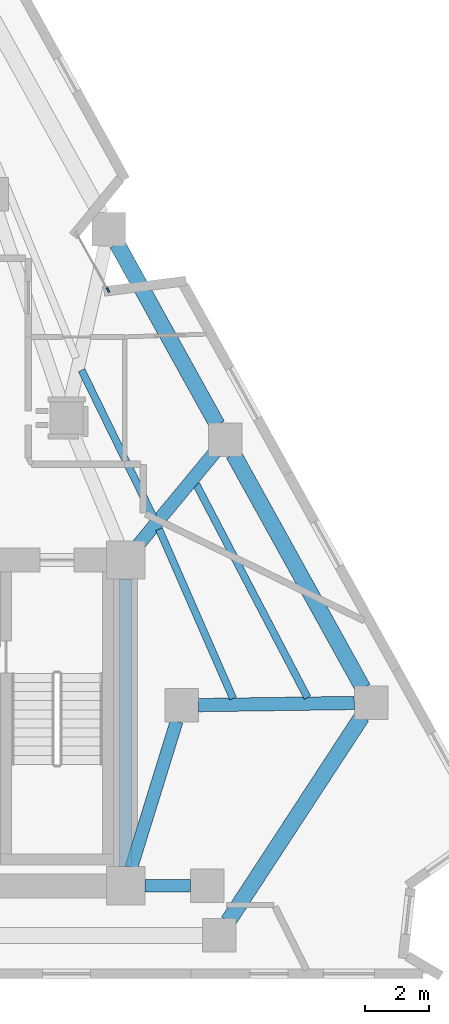
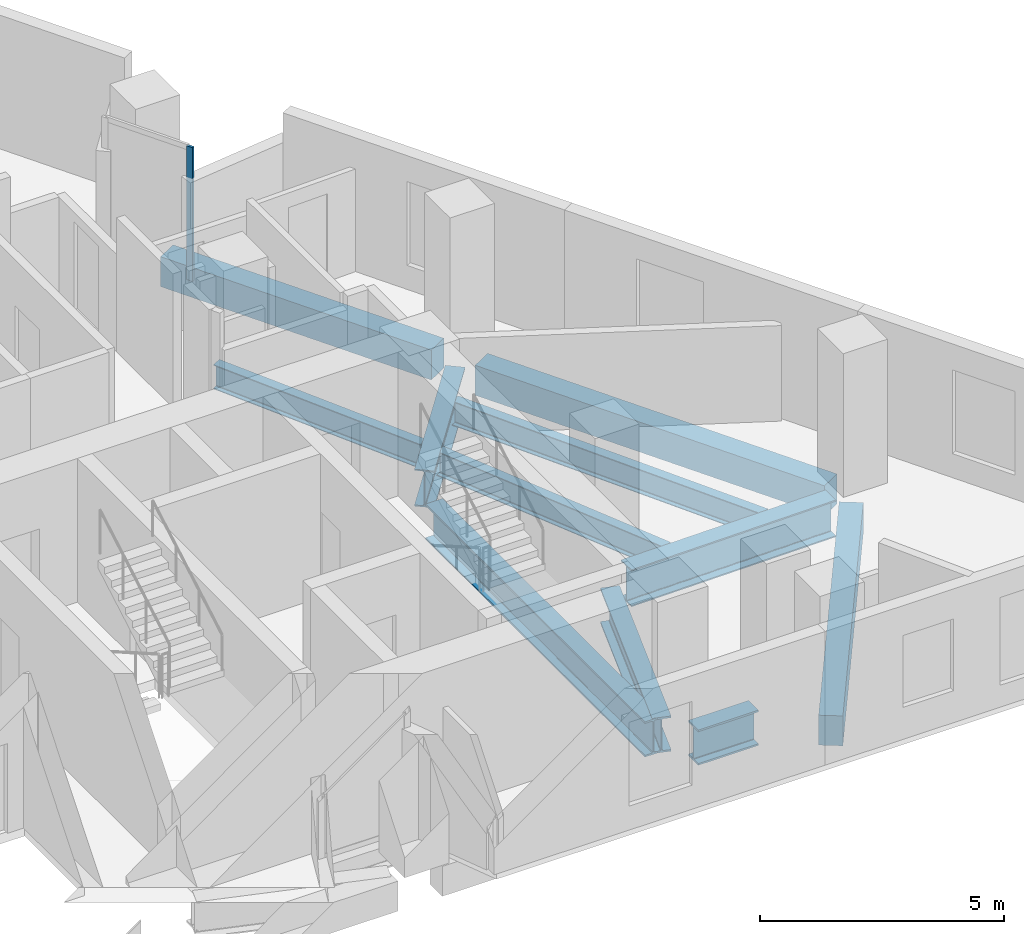
# One storey, part 4 of 11: 11 beams, 1 member, 1 element without a shape of its own.
"""IFC4 building model written with IfcOpenShell, lengths in metres."""

import ifcopenshell
import ifcopenshell.guid

model = None  # the IFC model being written
_history = None  # IfcOwnerHistory: only IFC2X3 demands one
_inside = {}  # id of a spatial element -> (the spatial element, [elements in it])
_under = {}  # id of a project, library or spatial element -> (it, [spatial elements below it])
_declared = {}  # id of a project -> (the project, [libraries it declares])
_typed = {}  # id of a type object -> (the type object, [elements of that type])
_made_of = {}  # id of a material, layer set ... -> (it, [elements and type objects made of it])


def new_model(schema):
    """Start an empty IFC model of exactly this schema.

    Asked for "IFC4X3", IfcOpenShell would pick the latest addendum, in which some entities
    have other attributes; the version numbers below select the first issue.
    IFC2X3 requires an IfcOwnerHistory on every rooted entity: one is made here for all.
    """
    global model, _history
    if schema == "IFC4X3":
        model = ifcopenshell.file(schema_version=(4, 3, 0, 0))
    else:
        model = ifcopenshell.file(schema=schema)
    _inside.clear()
    _under.clear()
    _declared.clear()
    _typed.clear()
    _made_of.clear()
    _history = None
    if model.schema == "IFC2X3":
        org = make("IfcOrganization", Name="unknown")
        user = make(
            "IfcPersonAndOrganization",
            ThePerson=make("IfcPerson", FamilyName="unknown"),
            TheOrganization=org,
        )
        app = make(
            "IfcApplication",
            ApplicationDeveloper=org,
            Version="unknown",
            ApplicationFullName="unknown",
            ApplicationIdentifier="unknown",
        )
        _history = make(
            "IfcOwnerHistory",
            OwningUser=user,
            OwningApplication=app,
            ChangeAction="ADDED",
            CreationDate=0,
        )
    return model


def make(cls, **values):
    """One entity of the class cls with the attributes given. An attribute that is None is left unset."""
    return model.create_entity(
        cls, **{name: value for name, value in values.items() if value is not None}
    )


def rooted(cls, **values):
    """An entity with a GlobalId (a new one), such as an element, a storey or a relation."""
    return make(cls, GlobalId=ifcopenshell.guid.new(), OwnerHistory=_history, **values)


def si_unit(unit_type, name, prefix=None):
    """IfcSIUnit, for example si_unit("LENGTHUNIT", "METRE", prefix="MILLI")."""
    return make("IfcSIUnit", UnitType=unit_type, Prefix=prefix, Name=name)


def assignment(units):
    """IfcUnitAssignment: the units of a project."""
    return None if units is None else make("IfcUnitAssignment", Units=units)


def point(xyz):
    """IfcCartesianPoint."""
    return None if xyz is None else make("IfcCartesianPoint", Coordinates=xyz)


def direction(xyz):
    """IfcDirection."""
    return None if xyz is None else make("IfcDirection", DirectionRatios=xyz)


def frame(location, z_axis=None, x_axis=None):
    """IfcAxis2Placement3D, a coordinate frame: its origin and axes. An axis left out is left unset."""
    return make(
        "IfcAxis2Placement3D",
        Location=point(location),
        Axis=direction(z_axis),
        RefDirection=direction(x_axis),
    )


def frame_2d(location, x_axis=None):
    """IfcAxis2Placement2D, a coordinate frame in the plane: its origin and x axis."""
    return make(
        "IfcAxis2Placement2D", Location=point(location), RefDirection=direction(x_axis)
    )


def origin():
    """The frame at (0, 0, 0) with its axes left unset."""
    return frame((0.0, 0.0, 0.0))


def origin_2d():
    """The frame at (0, 0) in the plane with its x axis left unset."""
    return frame_2d((0.0, 0.0))


def place(relative_to, where):
    """IfcLocalPlacement: puts the frame where relative to a parent placement (None: the world)."""
    return make(
        "IfcLocalPlacement", PlacementRelTo=relative_to, RelativePlacement=where
    )


def context(
    kind, dimensions, precision=None, world=None, true_north=None, identifier=None
):
    """IfcGeometricRepresentationContext, for example the 3D "Model" context."""
    return make(
        "IfcGeometricRepresentationContext",
        ContextIdentifier=identifier,
        ContextType=kind,
        CoordinateSpaceDimension=dimensions,
        Precision=precision,
        WorldCoordinateSystem=world,
        TrueNorth=true_north,
    )


def subcontext(parent, identifier, kind, view, scale=None):
    """IfcGeometricRepresentationSubContext, for example "Body" below "Model"."""
    return make(
        "IfcGeometricRepresentationSubContext",
        ContextIdentifier=identifier,
        ContextType=kind,
        ParentContext=parent,
        TargetScale=scale,
        TargetView=view,
    )


def project(units=None, contexts=None):
    """IfcProject with its units and contexts."""
    return rooted(
        "IfcProject",
        Name="project",
        RepresentationContexts=contexts,
        UnitsInContext=assignment(units),
    )


def spatial(cls, under=None, at=None, **own):
    """A site, building, storey or space (cls), placed at a placement, below another one or the project."""
    s = rooted(cls, ObjectPlacement=at, **own)
    if under is not None:
        _under.setdefault(under.id(), (under, []))[1].append(s)
    return s


def profile(cls, at=None, kind="AREA", **sizes):
    """A parametric profile (cls). Its sizes go by their IFC names, for example OverallWidth=200.0."""
    return make(cls, ProfileType=kind, Position=at, **sizes)


def rectangle(**sizes):
    """IfcRectangleProfileDef."""
    return profile("IfcRectangleProfileDef", **sizes)


def i_section(**sizes):
    """IfcIShapeProfileDef."""
    return profile("IfcIShapeProfileDef", **sizes)


def extrude(swept, where, along, depth):
    """IfcExtrudedAreaSolid: the profile swept, set in the frame where, extruded along a direction by depth."""
    return make(
        "IfcExtrudedAreaSolid",
        SweptArea=swept,
        Position=where,
        ExtrudedDirection=direction(along),
        Depth=depth,
    )


def shape(context_of_items, identifier, shape_type, items):
    """IfcShapeRepresentation: the items that make up one representation, for example the "Body"."""
    return make(
        "IfcShapeRepresentation",
        ContextOfItems=context_of_items,
        RepresentationIdentifier=identifier,
        RepresentationType=shape_type,
        Items=items,
    )


def material(Name=None, Category=None):
    """IfcMaterial."""
    return make("IfcMaterial", Name=Name, Category=Category)


def layer(
    of_material, thickness, ventilated=None, Name=None, Category=None, Priority=None
):
    """IfcMaterialLayer: one layer of a wall or slab, of a material (None: an air gap)."""
    return make(
        "IfcMaterialLayer",
        Material=of_material,
        LayerThickness=thickness,
        IsVentilated=ventilated,
        Name=Name,
        Category=Category,
        Priority=Priority,
    )


def layer_set(layers, Name=None):
    """IfcMaterialLayerSet."""
    return make("IfcMaterialLayerSet", MaterialLayers=layers, LayerSetName=Name)


def material_profile(
    of_material, cross_section, Name=None, Category=None, Priority=None
):
    """IfcMaterialProfile: a cross section and its material."""
    return make(
        "IfcMaterialProfile",
        Name=Name,
        Material=of_material,
        Profile=cross_section,
        Priority=Priority,
        Category=Category,
    )


def profile_set(profiles, Name=None, composite=None):
    """IfcMaterialProfileSet."""
    return make(
        "IfcMaterialProfileSet",
        Name=Name,
        MaterialProfiles=profiles,
        CompositeProfile=composite,
    )


def made_of(thing, what):
    """Note that an element or type object is made of a material, layer set ...; save() writes the relation."""
    if what is not None:
        _made_of.setdefault(what.id(), (what, []))[1].append(thing)
    return thing


def type_object(cls, material=None, **own):
    """A type object (cls), such as IfcWallType, which elements share."""
    return made_of(rooted(cls, **own), material)


def element(
    cls,
    number,
    at=None,
    inside=None,
    cuts=None,
    type_object=None,
    material=None,
    context=None,
    identifier="Body",
    shape_type=None,
    held_by="IfcProductDefinitionShape",
    body=None,
    shapes=None,
    **own,
):
    """One element of the class cls, such as IfcWall. Its Tag is "e" and its number.

    at: its placement. inside: the storey or other place that contains it. cuts: it is an
    opening in that element (IfcRelVoidsElement). A single representation is given by context,
    identifier, shape_type and body (its items); several are given by shapes. held_by: the class
    of the entity that holds the representations. save() writes the other relations.
    """
    e = rooted(cls, Tag="e%d" % number, ObjectPlacement=at, **own)
    if body is not None:
        shapes = [shape(context, identifier, shape_type, body)]
    if shapes is not None:
        e.Representation = make(held_by, Representations=shapes)
    if inside is not None:
        _inside.setdefault(inside.id(), (inside, []))[1].append(e)
    if cuts is not None:
        rooted(
            "IfcRelVoidsElement", RelatingBuildingElement=cuts, RelatedOpeningElement=e
        )
    if type_object is not None:
        _typed.setdefault(type_object.id(), (type_object, []))[1].append(e)
    return made_of(e, material)


def aggregate(whole, parts):
    """IfcRelAggregates: a whole, such as a stair, and the parts it consists of."""
    return rooted("IfcRelAggregates", RelatingObject=whole, RelatedObjects=parts)


def save(model, path):
    """Write the relations noted so far, then the file.

    IfcRelAggregates (storeys below a building ...), IfcRelContainedInSpatialStructure (elements
    in a storey), IfcRelDefinesByType, IfcRelAssociatesMaterial and IfcRelDeclares: one each for
    every whole, place, type object, material and project.
    """
    for whole, parts in _under.values():
        aggregate(whole, parts)
    for where, things in _inside.values():
        rooted(
            "IfcRelContainedInSpatialStructure",
            RelatedElements=things,
            RelatingStructure=where,
        )
    for kind, things in _typed.values():
        rooted("IfcRelDefinesByType", RelatedObjects=things, RelatingType=kind)
    for what, things in _made_of.values():
        rooted("IfcRelAssociatesMaterial", RelatedObjects=things, RelatingMaterial=what)
    for by, libraries in _declared.values():
        rooted("IfcRelDeclares", RelatingContext=by, RelatedDefinitions=libraries)
    model.write(path)


model = new_model("IFC4")

# Units and contexts
model_context = context("Model", 3, precision=1e-05, world=origin(), true_north=direction((0.0, 1.0)))
body_context = subcontext(model_context, "Body", "Model", "MODEL_VIEW")
ifc_project = project(units=[si_unit("LENGTHUNIT", "METRE"), si_unit("AREAUNIT", "SQUARE_METRE"), si_unit("VOLUMEUNIT", "CUBIC_METRE"), si_unit("PLANEANGLEUNIT", "RADIAN"), si_unit("MASSUNIT", "GRAM", prefix="KILO")], contexts=[model_context])

# Site, building, storey
site_placement = place(None, origin())
site = spatial("IfcSite", under=ifc_project, at=site_placement, CompositionType="ELEMENT")
building_placement = place(site_placement, origin())
building = spatial("IfcBuilding", under=site, at=building_placement, Name="Almagre Mirador Tower", CompositionType="ELEMENT")
storey_placement = place(building_placement, frame((0.0, 0.0, 168.0)))
storey = spatial("IfcBuildingStorey", under=building, at=storey_placement, Name="L43", CompositionType="ELEMENT", Elevation=168.0)

# Beams
ifc_material_1 = material(Name="Steel ASTM A992 Grade 50", Category="steel")
ifc_material_profile_1 = material_profile(ifc_material_1, i_section(OverallWidth=0.22802734375, OverallDepth=0.60791015625, WebThickness=0.01123046875, FlangeThickness=0.017333984375, FilletRadius=0.02001953125, at=origin_2d()), Name="W24X76")
ifc_profile_set_1 = profile_set([ifc_material_profile_1], Name="Steel ASTM A992 Grade 50")
beam_type_1 = type_object("IfcBeamType", Name="BM-JST-W24X76", PredefinedType="JOIST", material=ifc_profile_set_1)
beam_1_placement = place(storey_placement, frame((52.744873046875, 10.44189453125, -0.553955078125), z_axis=(-0.462461864281, 0.886639173557, 0.0), x_axis=(-0.886639173557, -0.462461864281, 0.0)))
element("IfcBeam", 1, at=beam_1_placement, inside=storey, type_object=beam_type_1, Name="L43 secondary floor joist PC05-PC06.1", PredefinedType="JOIST", context=body_context, shape_type="SweptSolid", body=[
    extrude(i_section(OverallWidth=0.22802734375, OverallDepth=0.60791015625, WebThickness=0.01123046875, FlangeThickness=0.017333984375, FilletRadius=0.02001953125, at=origin_2d()), origin(), (0.0, 0.0, 1.0), 7.53125),
])
beam_2_placement = place(storey_placement, frame((50.413330078125, 10.415283203125, -0.553955078125), z_axis=(-0.400714832281, 0.91620282863, 0.0), x_axis=(-0.91620282863, -0.400714832281, 0.0)))
element("IfcBeam", 2, at=beam_2_placement, inside=storey, type_object=beam_type_1, Name="L43 secondary floor joist PC05-PC06.3", PredefinedType="JOIST", context=body_context, shape_type="SweptSolid", body=[
    extrude(i_section(OverallWidth=0.22802734375, OverallDepth=0.60791015625, WebThickness=0.01123046875, FlangeThickness=0.017333984375, FilletRadius=0.02001953125, at=origin_2d()), origin(), (0.0, 0.0, 1.0), 5.7880859375),
])
beam_3_placement = place(storey_placement, frame((47.91845703125, 16.097412109375, -0.553955078125), z_axis=(-0.439128899416, 0.898424070079, 0.0), x_axis=(-0.898424070079, -0.439128899416, 0.0)))
element("IfcBeam", 3, at=beam_3_placement, inside=storey, type_object=beam_type_1, Name="L43 secondary floor joist PC06-PC07.3", PredefinedType="JOIST", context=body_context, shape_type="SweptSolid", body=[
    extrude(i_section(OverallWidth=0.22802734375, OverallDepth=0.60791015625, WebThickness=0.01123046875, FlangeThickness=0.017333984375, FilletRadius=0.02001953125, at=origin_2d()), origin(), (0.0, 0.0, 1.0), 5.12109375),
])
ifc_material_2 = material(Name="Precast concrete C50/60", Category="concrete")
ifc_material_profile_2 = material_profile(ifc_material_2, rectangle(XDim=0.5, YDim=0.75, at=origin_2d()), Name="RC500X750")
ifc_profile_set_2 = profile_set([ifc_material_profile_2], Name="Precast concrete C50/60")
beam_type_2 = type_object("IfcBeamType", Name="BM-SPN-RC500X750", PredefinedType="SPANDREL", material=ifc_profile_set_2)
beam_4_placement = place(storey_placement, frame((50.26318359375, 3.439453125, -0.625), z_axis=(0.546935461459, 0.83717477327, 0.0), x_axis=(-0.83717477327, 0.546935461459, 0.0)))
element("IfcBeam", 4, at=beam_4_placement, inside=storey, type_object=beam_type_2, Name="L43 perimeter spandrel beam PC04-PC05", PredefinedType="SPANDREL", context=body_context, shape_type="SweptSolid", body=[
    extrude(rectangle(XDim=0.5, YDim=0.75, at=origin_2d()), origin(), (0.0, 0.0, 1.0), 7.649658203125),
])
beam_5_placement = place(storey_placement, frame((54.479736328125, 10.742431640625, -0.625), z_axis=(-0.484193045523, 0.874961196092, 0.0), x_axis=(-0.874961196092, -0.484193045523, 0.0)))
element("IfcBeam", 5, at=beam_5_placement, inside=storey, type_object=beam_type_2, Name="L43 perimeter spandrel beam PC05-PC06", PredefinedType="SPANDREL", context=body_context, shape_type="SweptSolid", body=[
    extrude(rectangle(XDim=0.5, YDim=0.75, at=origin_2d()), origin(), (0.0, 0.0, 1.0), 8.36767578125),
])
beam_6_placement = place(storey_placement, frame((49.919921875, 18.982421875, -0.625), z_axis=(-0.484219637984, 0.874946479615, 0.0), x_axis=(-0.874946479615, -0.484219637984, 0.0)))
element("IfcBeam", 6, at=beam_6_placement, inside=storey, type_object=beam_type_2, Name="L43 perimeter spandrel beam PC06-PC07", PredefinedType="SPANDREL", context=body_context, shape_type="SweptSolid", body=[
    extrude(rectangle(XDim=0.5, YDim=0.75, at=origin_2d()), origin(), (0.0, 0.0, 1.0), 6.48388671875),
])
ifc_material_3 = material(Name="Steel ASTM A992 Grade 50", Category="steel")
ifc_material_profile_3 = material_profile(ifc_material_3, i_section(OverallWidth=0.404052734375, OverallDepth=0.884033203125, WebThickness=0.0244140625, FlangeThickness=0.0439453125, FilletRadius=0.02490234375, at=origin_2d()), Name="W33X291")
ifc_profile_set_3 = profile_set([ifc_material_profile_3], Name="Steel ASTM A992 Grade 50")
beam_type_3 = type_object("IfcBeamType", Name="BM-STL-W33X291", PredefinedType="BEAM", material=ifc_profile_set_3)
beam_7_placement = place(storey_placement, frame((47.050048828125, 5.14990234375, -0.69189453125), z_axis=(0.0, 1.0, 0.0), x_axis=(-1.0, 0.0, 0.0)))
element("IfcBeam", 7, at=beam_7_placement, inside=storey, type_object=beam_type_3, Name="L43 core tie girder CC3-CC6", PredefinedType="BEAM", context=body_context, shape_type="SweptSolid", body=[
    extrude(i_section(OverallWidth=0.404052734375, OverallDepth=0.884033203125, WebThickness=0.0244140625, FlangeThickness=0.0439453125, FilletRadius=0.02490234375, at=origin_2d()), origin(), (0.0, 0.0, 1.0), 9.0),
])
beam_8_placement = place(storey_placement, frame((49.074951171875, 4.550048828125, -0.69189453125), z_axis=(-1.0, 0.0, 0.0), x_axis=(0.0, -1.0, 0.0)))
element("IfcBeam", 8, at=beam_8_placement, inside=storey, type_object=beam_type_3, Name="L43 core tie girder MC2-CC3", PredefinedType="BEAM", context=body_context, shape_type="SweptSolid", body=[
    extrude(i_section(OverallWidth=0.404052734375, OverallDepth=0.884033203125, WebThickness=0.0244140625, FlangeThickness=0.0439453125, FilletRadius=0.02490234375, at=origin_2d()), origin(), (0.0, 0.0, 1.0), 1.425048828125),
])
beam_9_placement = place(storey_placement, frame((48.644775390625, 9.698486328125, -0.69189453125), z_axis=(-0.295879743348, -0.955225197258, 0.0), x_axis=(0.955225197258, -0.295879743348, 0.0)))
element("IfcBeam", 9, at=beam_9_placement, inside=storey, type_object=beam_type_3, Name="L43 core tie girder MC3-CC3", PredefinedType="BEAM", context=body_context, shape_type="SweptSolid", body=[
    extrude(i_section(OverallWidth=0.404052734375, OverallDepth=0.884033203125, WebThickness=0.0244140625, FlangeThickness=0.0439453125, FilletRadius=0.02490234375, at=origin_2d()), origin(), (0.0, 0.0, 1.0), 4.789794921875),
])
ifc_material_4 = material(Name="Steel ASTM A992 Grade 50", Category="steel")
ifc_material_profile_4 = material_profile(ifc_material_4, i_section(OverallWidth=0.41796875, OverallDepth=0.927001953125, WebThickness=0.019287109375, FlangeThickness=0.031982421875, FilletRadius=0.028076171875, at=origin_2d()), Name="W36X231")
ifc_profile_set_4 = profile_set([ifc_material_profile_4], Name="Steel ASTM A992 Grade 50")
beam_type_4 = type_object("IfcBeamType", Name="BM-STL-W36X231", PredefinedType="BEAM", material=ifc_profile_set_4)
beam_10_placement = place(storey_placement, frame((54.208984375, 10.275634765625, -0.71337890625), z_axis=(-0.999902063371, -0.013995130105, 0.0), x_axis=(0.013995130105, -0.999902063371, 0.0)))
element("IfcBeam", 10, at=beam_10_placement, inside=storey, type_object=beam_type_4, Name="L43 radial floor girder PC05-MC3", PredefinedType="BEAM", context=body_context, shape_type="SweptSolid", body=[
    extrude(i_section(OverallWidth=0.41796875, OverallDepth=0.927001953125, WebThickness=0.019287109375, FlangeThickness=0.031982421875, FilletRadius=0.028076171875, at=origin_2d()), origin(), (0.0, 0.0, 1.0), 4.884521484375),
])
beam_11_placement = place(storey_placement, frame((49.839111328125, 18.11865234375, -0.71337890625), z_axis=(-0.637743806267, -0.770248555707, 0.0), x_axis=(0.770248555707, -0.637743806267, 0.0)))
element("IfcBeam", 11, at=beam_11_placement, inside=storey, type_object=beam_type_4, Name="L43 radial floor girder PC06-CC6", PredefinedType="BEAM", context=body_context, shape_type="SweptSolid", body=[
    extrude(i_section(OverallWidth=0.41796875, OverallDepth=0.927001953125, WebThickness=0.019287109375, FlangeThickness=0.031982421875, FilletRadius=0.028076171875, at=origin_2d()), origin(), (0.0, 0.0, 1.0), 3.7734375),
])

# Curtain wall, member
ifc_material_5 = material(Name="Black anodized aluminium", Category="aluminium")
ifc_layer = layer(ifc_material_5, 0.169921875)
ifc_layer_set = layer_set([ifc_layer], Name="Black anodized aluminium")
curtain_wall_type = type_object("IfcCurtainWallType", Name="CW-CRS-SYS", PredefinedType="NOTDEFINED", material=ifc_layer_set)
curtain_wall_placement = place(storey_placement, origin())
curtain_wall = element("IfcCurtainWall", 12, at=curtain_wall_placement, inside=storey, type_object=curtain_wall_type, Name="L43 vertical crease curtain wall 03", PredefinedType="NOTDEFINED")
ifc_material_6 = material(Name="Black anodized aluminium", Category="aluminium")
ifc_material_profile_5 = material_profile(ifc_material_6, rectangle(XDim=0.06005859375, YDim=0.14990234375, at=origin_2d()), Name="CWM60X150")
ifc_profile_set_5 = profile_set([ifc_material_profile_5], Name="Black anodized aluminium")
member_type = type_object("IfcMemberType", Name="MBR-CWM60X150", PredefinedType="MULLION", material=ifc_profile_set_5)
member_placement = place(storey_placement, frame((46.49658203125, 23.207275390625, 0.0), z_axis=(0.0, 0.0, 1.0), x_axis=(0.874878722341, 0.48434204979, 0.0)))
member = element("IfcMember", 13, at=member_placement, type_object=member_type, Name="CW-4 mullion 2", PredefinedType="MULLION", context=body_context, shape_type="SweptSolid", body=[
    extrude(rectangle(XDim=0.06005859375, YDim=0.14990234375, at=origin_2d()), origin(), (0.0, 0.0, 1.0), 3.35009765625),
])
aggregate(curtain_wall, [member])

save(model, "model.ifc")
